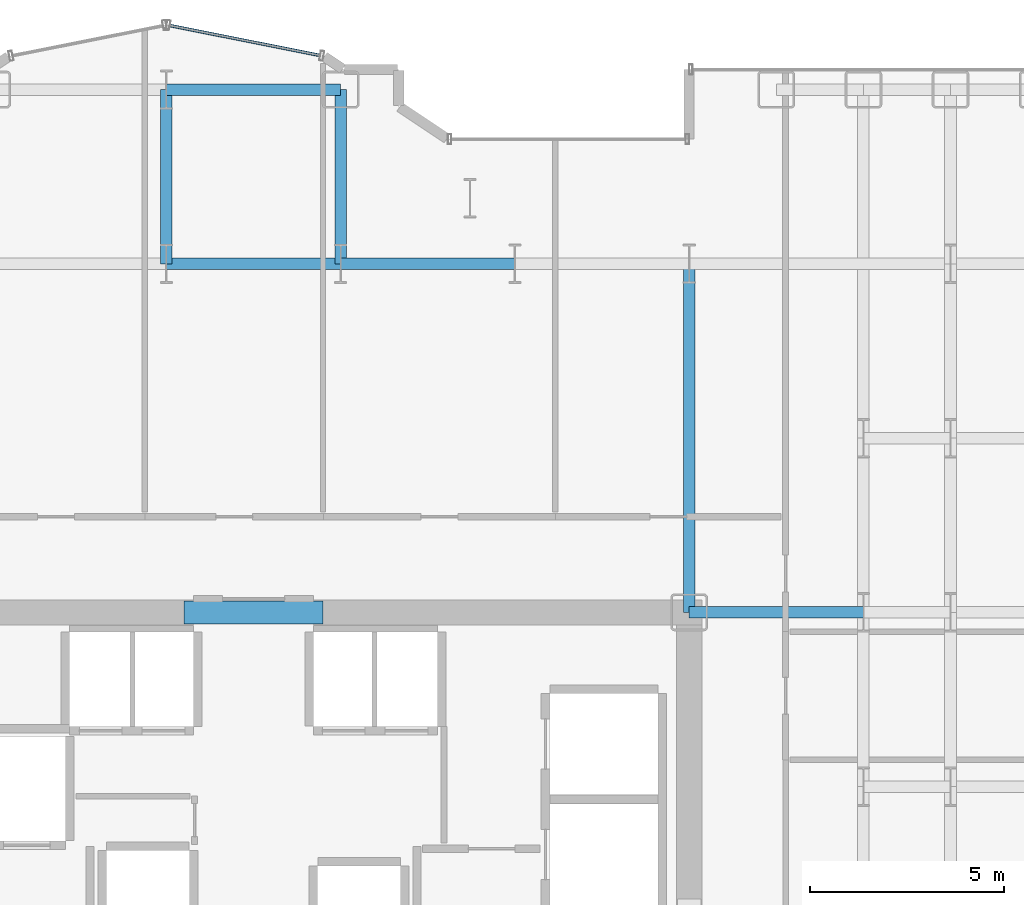
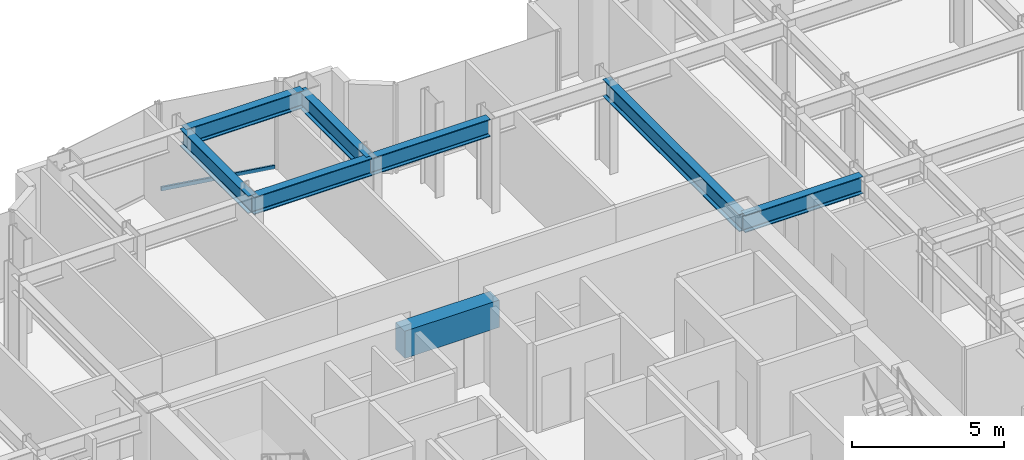
# One storey, part 11 of 26: 8 beams, 1 member, 1 element without a shape of its own.
"""IFC4 building model written with IfcOpenShell, lengths in metres."""

import ifcopenshell
import ifcopenshell.guid

model = None  # the IFC model being written
_history = None  # IfcOwnerHistory: only IFC2X3 demands one
_inside = {}  # id of a spatial element -> (the spatial element, [elements in it])
_under = {}  # id of a project, library or spatial element -> (it, [spatial elements below it])
_declared = {}  # id of a project -> (the project, [libraries it declares])
_typed = {}  # id of a type object -> (the type object, [elements of that type])
_made_of = {}  # id of a material, layer set ... -> (it, [elements and type objects made of it])


def new_model(schema):
    """Start an empty IFC model of exactly this schema.

    Asked for "IFC4X3", IfcOpenShell would pick the latest addendum, in which some entities
    have other attributes; the version numbers below select the first issue.
    IFC2X3 requires an IfcOwnerHistory on every rooted entity: one is made here for all.
    """
    global model, _history
    if schema == "IFC4X3":
        model = ifcopenshell.file(schema_version=(4, 3, 0, 0))
    else:
        model = ifcopenshell.file(schema=schema)
    _inside.clear()
    _under.clear()
    _declared.clear()
    _typed.clear()
    _made_of.clear()
    _history = None
    if model.schema == "IFC2X3":
        org = make("IfcOrganization", Name="unknown")
        user = make(
            "IfcPersonAndOrganization",
            ThePerson=make("IfcPerson", FamilyName="unknown"),
            TheOrganization=org,
        )
        app = make(
            "IfcApplication",
            ApplicationDeveloper=org,
            Version="unknown",
            ApplicationFullName="unknown",
            ApplicationIdentifier="unknown",
        )
        _history = make(
            "IfcOwnerHistory",
            OwningUser=user,
            OwningApplication=app,
            ChangeAction="ADDED",
            CreationDate=0,
        )
    return model


def make(cls, **values):
    """One entity of the class cls with the attributes given. An attribute that is None is left unset."""
    return model.create_entity(
        cls, **{name: value for name, value in values.items() if value is not None}
    )


def rooted(cls, **values):
    """An entity with a GlobalId (a new one), such as an element, a storey or a relation."""
    return make(cls, GlobalId=ifcopenshell.guid.new(), OwnerHistory=_history, **values)


def si_unit(unit_type, name, prefix=None):
    """IfcSIUnit, for example si_unit("LENGTHUNIT", "METRE", prefix="MILLI")."""
    return make("IfcSIUnit", UnitType=unit_type, Prefix=prefix, Name=name)


def assignment(units):
    """IfcUnitAssignment: the units of a project."""
    return None if units is None else make("IfcUnitAssignment", Units=units)


def point(xyz):
    """IfcCartesianPoint."""
    return None if xyz is None else make("IfcCartesianPoint", Coordinates=xyz)


def direction(xyz):
    """IfcDirection."""
    return None if xyz is None else make("IfcDirection", DirectionRatios=xyz)


def frame(location, z_axis=None, x_axis=None):
    """IfcAxis2Placement3D, a coordinate frame: its origin and axes. An axis left out is left unset."""
    return make(
        "IfcAxis2Placement3D",
        Location=point(location),
        Axis=direction(z_axis),
        RefDirection=direction(x_axis),
    )


def frame_2d(location, x_axis=None):
    """IfcAxis2Placement2D, a coordinate frame in the plane: its origin and x axis."""
    return make(
        "IfcAxis2Placement2D", Location=point(location), RefDirection=direction(x_axis)
    )


def origin():
    """The frame at (0, 0, 0) with its axes left unset."""
    return frame((0.0, 0.0, 0.0))


def origin_2d():
    """The frame at (0, 0) in the plane with its x axis left unset."""
    return frame_2d((0.0, 0.0))


def place(relative_to, where):
    """IfcLocalPlacement: puts the frame where relative to a parent placement (None: the world)."""
    return make(
        "IfcLocalPlacement", PlacementRelTo=relative_to, RelativePlacement=where
    )


def context(
    kind, dimensions, precision=None, world=None, true_north=None, identifier=None
):
    """IfcGeometricRepresentationContext, for example the 3D "Model" context."""
    return make(
        "IfcGeometricRepresentationContext",
        ContextIdentifier=identifier,
        ContextType=kind,
        CoordinateSpaceDimension=dimensions,
        Precision=precision,
        WorldCoordinateSystem=world,
        TrueNorth=true_north,
    )


def subcontext(parent, identifier, kind, view, scale=None):
    """IfcGeometricRepresentationSubContext, for example "Body" below "Model"."""
    return make(
        "IfcGeometricRepresentationSubContext",
        ContextIdentifier=identifier,
        ContextType=kind,
        ParentContext=parent,
        TargetScale=scale,
        TargetView=view,
    )


def project(units=None, contexts=None):
    """IfcProject with its units and contexts."""
    return rooted(
        "IfcProject",
        Name="project",
        RepresentationContexts=contexts,
        UnitsInContext=assignment(units),
    )


def spatial(cls, under=None, at=None, **own):
    """A site, building, storey or space (cls), placed at a placement, below another one or the project."""
    s = rooted(cls, ObjectPlacement=at, **own)
    if under is not None:
        _under.setdefault(under.id(), (under, []))[1].append(s)
    return s


def profile(cls, at=None, kind="AREA", **sizes):
    """A parametric profile (cls). Its sizes go by their IFC names, for example OverallWidth=200.0."""
    return make(cls, ProfileType=kind, Position=at, **sizes)


def rectangle(**sizes):
    """IfcRectangleProfileDef."""
    return profile("IfcRectangleProfileDef", **sizes)


def hollow_rectangle(**sizes):
    """IfcRectangleHollowProfileDef."""
    return profile("IfcRectangleHollowProfileDef", **sizes)


def i_section(**sizes):
    """IfcIShapeProfileDef."""
    return profile("IfcIShapeProfileDef", **sizes)


def extrude(swept, where, along, depth):
    """IfcExtrudedAreaSolid: the profile swept, set in the frame where, extruded along a direction by depth."""
    return make(
        "IfcExtrudedAreaSolid",
        SweptArea=swept,
        Position=where,
        ExtrudedDirection=direction(along),
        Depth=depth,
    )


def shape(context_of_items, identifier, shape_type, items):
    """IfcShapeRepresentation: the items that make up one representation, for example the "Body"."""
    return make(
        "IfcShapeRepresentation",
        ContextOfItems=context_of_items,
        RepresentationIdentifier=identifier,
        RepresentationType=shape_type,
        Items=items,
    )


def source(mapping_origin, context_of_items, identifier, shape_type, items):
    """IfcRepresentationMap: a shape defined once, which mapped items show again and again."""
    return make(
        "IfcRepresentationMap",
        MappingOrigin=mapping_origin,
        MappedRepresentation=shape(context_of_items, identifier, shape_type, items),
    )


def transform(
    local_origin,
    x_axis=None,
    y_axis=None,
    z_axis=None,
    scale=None,
    scale2=None,
    scale3=None,
    uniform=True,
):
    """IfcCartesianTransformationOperator3D, or its non-uniform kind. x_axis, y_axis, z_axis: its Axis1, 2, 3."""
    if uniform:
        return make(
            "IfcCartesianTransformationOperator3D",
            Axis1=direction(x_axis),
            Axis2=direction(y_axis),
            LocalOrigin=point(local_origin),
            Scale=scale,
            Axis3=direction(z_axis),
        )
    return make(
        "IfcCartesianTransformationOperator3DnonUniform",
        Axis1=direction(x_axis),
        Axis2=direction(y_axis),
        LocalOrigin=point(local_origin),
        Scale=scale,
        Axis3=direction(z_axis),
        Scale2=scale2,
        Scale3=scale3,
    )


def mapped(mapping_source, mapping_target):
    """IfcMappedItem: shows the shape of a source again, moved by a transform."""
    return make(
        "IfcMappedItem", MappingSource=mapping_source, MappingTarget=mapping_target
    )


def material(Name=None, Category=None):
    """IfcMaterial."""
    return make("IfcMaterial", Name=Name, Category=Category)


def layer(
    of_material, thickness, ventilated=None, Name=None, Category=None, Priority=None
):
    """IfcMaterialLayer: one layer of a wall or slab, of a material (None: an air gap)."""
    return make(
        "IfcMaterialLayer",
        Material=of_material,
        LayerThickness=thickness,
        IsVentilated=ventilated,
        Name=Name,
        Category=Category,
        Priority=Priority,
    )


def layer_set(layers, Name=None):
    """IfcMaterialLayerSet."""
    return make("IfcMaterialLayerSet", MaterialLayers=layers, LayerSetName=Name)


def material_profile(
    of_material, cross_section, Name=None, Category=None, Priority=None
):
    """IfcMaterialProfile: a cross section and its material."""
    return make(
        "IfcMaterialProfile",
        Name=Name,
        Material=of_material,
        Profile=cross_section,
        Priority=Priority,
        Category=Category,
    )


def profile_set(profiles, Name=None, composite=None):
    """IfcMaterialProfileSet."""
    return make(
        "IfcMaterialProfileSet",
        Name=Name,
        MaterialProfiles=profiles,
        CompositeProfile=composite,
    )


def made_of(thing, what):
    """Note that an element or type object is made of a material, layer set ...; save() writes the relation."""
    if what is not None:
        _made_of.setdefault(what.id(), (what, []))[1].append(thing)
    return thing


def type_object(cls, material=None, **own):
    """A type object (cls), such as IfcWallType, which elements share."""
    return made_of(rooted(cls, **own), material)


def element(
    cls,
    number,
    at=None,
    inside=None,
    cuts=None,
    type_object=None,
    material=None,
    context=None,
    identifier="Body",
    shape_type=None,
    held_by="IfcProductDefinitionShape",
    body=None,
    shapes=None,
    **own,
):
    """One element of the class cls, such as IfcWall. Its Tag is "e" and its number.

    at: its placement. inside: the storey or other place that contains it. cuts: it is an
    opening in that element (IfcRelVoidsElement). A single representation is given by context,
    identifier, shape_type and body (its items); several are given by shapes. held_by: the class
    of the entity that holds the representations. save() writes the other relations.
    """
    e = rooted(cls, Tag="e%d" % number, ObjectPlacement=at, **own)
    if body is not None:
        shapes = [shape(context, identifier, shape_type, body)]
    if shapes is not None:
        e.Representation = make(held_by, Representations=shapes)
    if inside is not None:
        _inside.setdefault(inside.id(), (inside, []))[1].append(e)
    if cuts is not None:
        rooted(
            "IfcRelVoidsElement", RelatingBuildingElement=cuts, RelatedOpeningElement=e
        )
    if type_object is not None:
        _typed.setdefault(type_object.id(), (type_object, []))[1].append(e)
    return made_of(e, material)


def aggregate(whole, parts):
    """IfcRelAggregates: a whole, such as a stair, and the parts it consists of."""
    return rooted("IfcRelAggregates", RelatingObject=whole, RelatedObjects=parts)


def save(model, path):
    """Write the relations noted so far, then the file.

    IfcRelAggregates (storeys below a building ...), IfcRelContainedInSpatialStructure (elements
    in a storey), IfcRelDefinesByType, IfcRelAssociatesMaterial and IfcRelDeclares: one each for
    every whole, place, type object, material and project.
    """
    for whole, parts in _under.values():
        aggregate(whole, parts)
    for where, things in _inside.values():
        rooted(
            "IfcRelContainedInSpatialStructure",
            RelatedElements=things,
            RelatingStructure=where,
        )
    for kind, things in _typed.values():
        rooted("IfcRelDefinesByType", RelatedObjects=things, RelatingType=kind)
    for what, things in _made_of.values():
        rooted("IfcRelAssociatesMaterial", RelatedObjects=things, RelatingMaterial=what)
    for by, libraries in _declared.values():
        rooted("IfcRelDeclares", RelatingContext=by, RelatedDefinitions=libraries)
    model.write(path)


model = new_model("IFC4")

# Units and contexts
model_context = context("Model", 3, precision=1e-05, world=origin(), true_north=direction((0.0, 1.0)))
body_context = subcontext(model_context, "Body", "Model", "MODEL_VIEW")
ifc_project = project(units=[si_unit("LENGTHUNIT", "METRE"), si_unit("AREAUNIT", "SQUARE_METRE"), si_unit("VOLUMEUNIT", "CUBIC_METRE"), si_unit("PLANEANGLEUNIT", "RADIAN"), si_unit("MASSUNIT", "GRAM", prefix="KILO")], contexts=[model_context])

# Site, building, storey
site_placement = place(None, origin())
site = spatial("IfcSite", under=ifc_project, at=site_placement, CompositionType="ELEMENT")
building_placement = place(site_placement, origin())
building = spatial("IfcBuilding", under=site, at=building_placement, Name="Nefas-Gora Pilgrimage Tower", CompositionType="ELEMENT")
storey_placement = place(building_placement, frame((0.0, 0.0, 63.39990234375)))
storey = spatial("IfcBuildingStorey", under=building, at=storey_placement, Name="L14", CompositionType="ELEMENT", Elevation=63.39990234375)

# Beams
ifc_material_1 = material(Name="Concrete C60/75", Category="concrete")
ifc_material_profile_1 = material_profile(ifc_material_1, rectangle(XDim=0.60009765625, YDim=1.10009765625, at=origin_2d()), Name="RC 600x1100")
ifc_profile_set_1 = profile_set([ifc_material_profile_1], Name="Concrete C60/75")
beam_type_1 = type_object("IfcBeamType", Name="BM-LIN-RC1100", PredefinedType="LINTEL", material=ifc_profile_set_1)
shared_shape_1 = source(origin(), body_context, "Body", "SweptSolid", [
    extrude(rectangle(XDim=0.60009765625, YDim=1.10009765625, at=origin_2d()), origin(), (0.0, 0.0, 1.0), 3.60009765625),
])
beam_1_placement = place(storey_placement, frame((-1.800048828125, 9.0, 3.0), z_axis=(1.0, 0.0, 0.0), x_axis=(0.0, 1.0, 0.0)))
element("IfcBeam", 1, at=beam_1_placement, inside=storey, type_object=beam_type_1, Name="L14 Core Coupling Lintel Beam N", PredefinedType="LINTEL", context=body_context, shape_type="MappedRepresentation", body=[
    mapped(shared_shape_1, transform((0.0, 0.0, 0.0), x_axis=(1.0, 0.0, 0.0), y_axis=(0.0, 1.0, 0.0), z_axis=(0.0, 0.0, 1.0), scale=1.0)),
])
ifc_material_2 = material(Name="Steel S355", Category="steel")
ifc_material_profile_2 = material_profile(ifc_material_2, i_section(OverallWidth=0.300048828125, OverallDepth=0.699951171875, WebThickness=0.01708984375, FlangeThickness=0.031982421875, FilletRadius=0.027099609375, at=origin_2d()), Name="HEB 700")
ifc_profile_set_2 = profile_set([ifc_material_profile_2], Name="Steel S355")
beam_type_2 = type_object("IfcBeamType", Name="BM-GIR-HEB700", PredefinedType="BEAM", material=ifc_profile_set_2)
shared_shape_2 = source(origin(), body_context, "Body", "SweptSolid", [
    extrude(i_section(OverallWidth=0.300048828125, OverallDepth=0.699951171875, WebThickness=0.01708984375, FlangeThickness=0.031982421875, FilletRadius=0.027099609375, at=origin_2d()), origin(), (0.0, 0.0, 1.0), 9.0),
])
beam_2_placement = place(storey_placement, frame((11.25, 9.0, 3.2001953125), z_axis=(0.0, 1.0, 0.0), x_axis=(-1.0, 0.0, 0.0)))
element("IfcBeam", 2, at=beam_2_placement, inside=storey, type_object=beam_type_2, Name="L14 G-02 beam", PredefinedType="BEAM", context=body_context, shape_type="MappedRepresentation", body=[
    mapped(shared_shape_2, transform((0.0, 0.0, 0.0), x_axis=(1.0, 0.0, 0.0), y_axis=(0.0, 1.0, 0.0), z_axis=(0.0, 0.0, 1.0), scale=1.0)),
])
shared_shape_3 = source(origin(), body_context, "Body", "SweptSolid", [
    extrude(i_section(OverallWidth=0.300048828125, OverallDepth=0.699951171875, WebThickness=0.01708984375, FlangeThickness=0.031982421875, FilletRadius=0.027099609375, at=origin_2d()), origin(), (0.0, 0.0, 1.0), 4.5),
])
for number, where, z_axis, x_axis, name in (
    (3, (-2.25, 18.0, 3.2001953125), (0.0, 1.0, 0.0), (-1.0, 0.0, 0.0), "L14 G-02 beam"),
    (4, (-2.25, 18.0, 3.2001953125), (1.0, 0.0, 0.0), (0.0, 1.0, 0.0), "L14 G-02 beam"),
    (5, (-2.25, 22.5, 3.2001953125), (1.0, 0.0, 0.0), (0.0, 1.0, 0.0), "L14 G-02 beam"),
    (6, (2.25, 18.0, 3.2001953125), (0.0, 1.0, 0.0), (-1.0, 0.0, 0.0), "L14 G-02 beam"),
    (7, (2.25, 18.0, 3.2001953125), (1.0, 0.0, 0.0), (0.0, 1.0, 0.0), "L14 G-02 beam"),
    (8, (11.25, 9.0, 3.2001953125), (1.0, 0.0, 0.0), (0.0, 1.0, 0.0), "L14 G-02 beam"),
):
    element("IfcBeam", number, at=place(storey_placement, frame(where, z_axis=z_axis, x_axis=x_axis)), inside=storey, type_object=beam_type_2, Name=name, PredefinedType="BEAM", context=body_context, shape_type="MappedRepresentation", body=[
        mapped(shared_shape_3, transform((0.0, 0.0, 0.0), x_axis=(1.0, 0.0, 0.0), y_axis=(0.0, 1.0, 0.0), z_axis=(0.0, 0.0, 1.0), scale=1.0)),
    ])

# Curtain wall, member
ifc_material_3 = material(Name="Dark ceramic-fritted solar-control aluminium-glass curtain wall", Category="aluminium")
ifc_layer = layer(ifc_material_3, 0.219970703125)
ifc_layer_set = layer_set([ifc_layer], Name="Dark ceramic-fritted solar-control aluminium-glass curtain wall")
curtain_wall_type = type_object("IfcCurtainWallType", Name="CW-SYS-5", PredefinedType="NOTDEFINED", material=ifc_layer_set)
curtain_wall_placement = place(storey_placement, origin())
curtain_wall = element("IfcCurtainWall", 9, at=curtain_wall_placement, inside=storey, type_object=curtain_wall_type, Name="L14 Unitised Curtain Wall CW5", PredefinedType="NOTDEFINED")
ifc_material_4 = material(Name="Anodised architectural aluminium", Category="aluminium")
ifc_material_profile_3 = material_profile(ifc_material_4, hollow_rectangle(XDim=0.080078125, YDim=0.159912109375, WallThickness=0.00439453125, InnerFilletRadius=0.00439453125, OuterFilletRadius=0.009033203125, at=origin_2d()), Name="ALU TRANSOM 80x160")
ifc_profile_set_3 = profile_set([ifc_material_profile_3], Name="Anodised architectural aluminium")
member_type = type_object("IfcMemberType", Name="CWM-TRN-5", PredefinedType="USERDEFINED", material=ifc_profile_set_3)
shared_shape_4 = source(origin(), body_context, "Body", "SweptSolid", [
    extrude(hollow_rectangle(XDim=0.080078125, YDim=0.159912109375, WallThickness=0.00439453125, InnerFilletRadius=0.00439453125, OuterFilletRadius=0.009033203125, at=origin_2d()), origin(), (0.0, 0.0, 1.0), 3.95654296875),
])
member_placement = place(storey_placement, frame((1.718994140625, 23.3828125, 0.050048828125), z_axis=(-0.980781880918, 0.195107411605, 0.0), x_axis=(-0.195107411605, -0.980781880918, 0.0)))
member = element("IfcMember", 10, at=member_placement, type_object=member_type, Name="CW5 Spandrel Transom", ObjectType="TRANSOM", PredefinedType="USERDEFINED", context=body_context, shape_type="MappedRepresentation", body=[
    mapped(shared_shape_4, transform((0.0, 0.0, 0.0), x_axis=(1.0, 0.0, 0.0), y_axis=(0.0, 1.0, 0.0), z_axis=(0.0, 0.0, 1.0), scale=1.0)),
])
aggregate(curtain_wall, [member])

save(model, "model.ifc")
